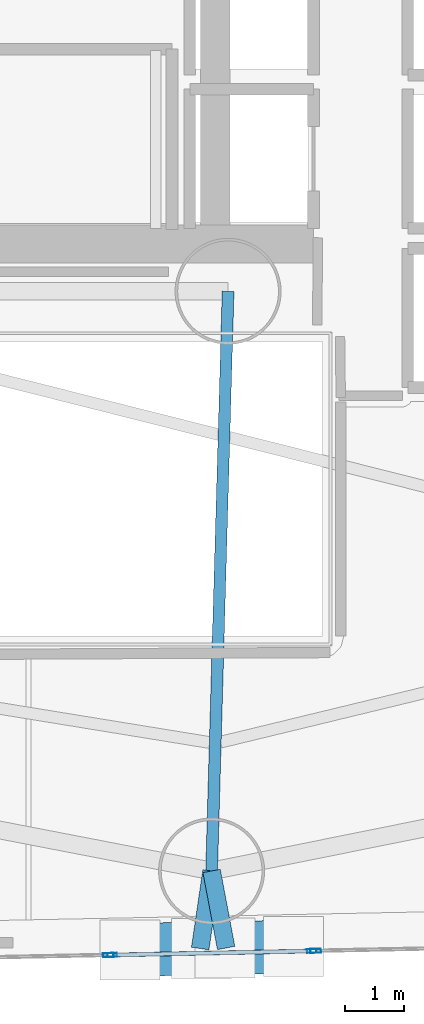
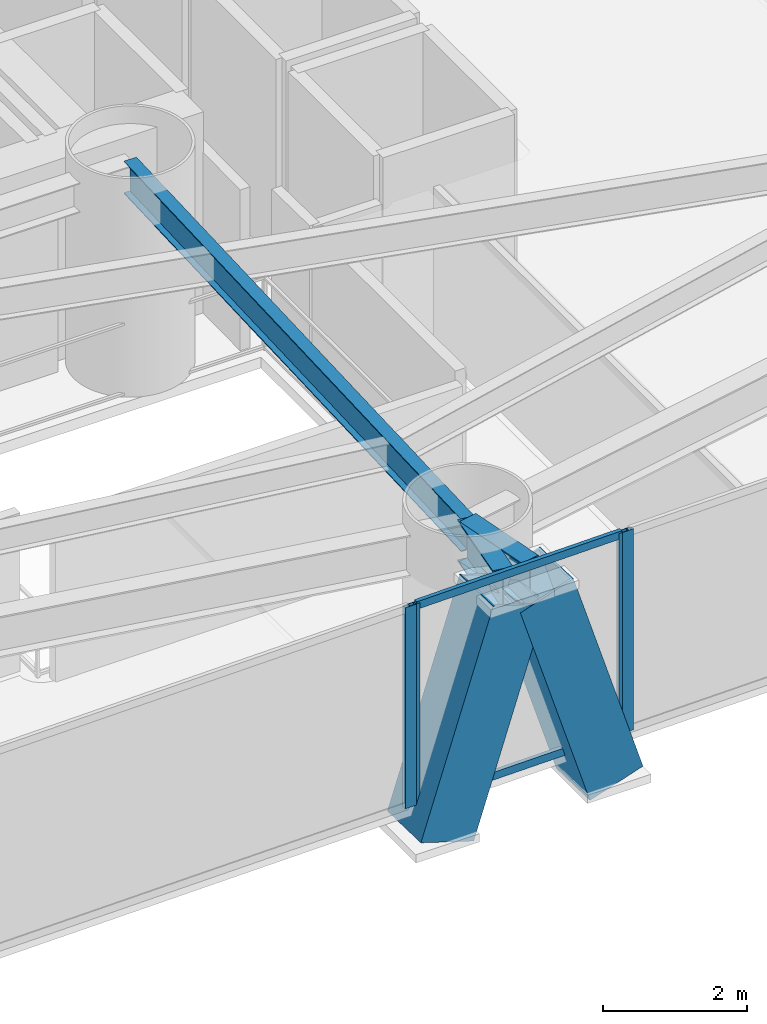
# One storey, part 5 of 22: 8 members, 3 beams, 3 elements without a shape of their own.
"""IFC4 building model written with IfcOpenShell, lengths in metres."""

from ifc_helpers import new_model, si_unit, direction, frame, origin, origin_2d, place, context, subcontext, project, spatial, hollow_rectangle, i_section, extrude, material, layer, layer_set, material_profile, profile_set, type_object, element, aggregate, save


model = new_model("IFC4")

# Units and contexts
model_context = context("Model", 3, precision=1e-05, world=origin(), true_north=direction((0.0, 1.0)))
body_context = subcontext(model_context, "Body", "Model", "MODEL_VIEW")
ifc_project = project(units=[si_unit("LENGTHUNIT", "METRE"), si_unit("AREAUNIT", "SQUARE_METRE"), si_unit("VOLUMEUNIT", "CUBIC_METRE"), si_unit("PLANEANGLEUNIT", "RADIAN"), si_unit("MASSUNIT", "GRAM", prefix="KILO")], contexts=[model_context])

# Site, building, storey
site_placement = place(None, origin())
site = spatial("IfcSite", under=ifc_project, at=site_placement, CompositionType="ELEMENT")
building_placement = place(site_placement, origin())
building = spatial("IfcBuilding", under=site, at=building_placement, Name="Qianvela Tower", CompositionType="ELEMENT")
storey_placement = place(building_placement, frame((0.0, 0.0, 44.199951171875)))
storey = spatial("IfcBuildingStorey", under=building, at=storey_placement, Name="L10", CompositionType="ELEMENT", Elevation=44.199951171875)

# Beams
ifc_material_1 = material(Name="Steel Q355B", Category="steel")
ifc_material_profile_1 = material_profile(ifc_material_1, i_section(OverallWidth=0.199951171875, OverallDepth=0.550048828125, WebThickness=0.010009765625, FlangeThickness=0.01611328125, at=origin_2d()), Name="HN550x200x10x16")
ifc_profile_set_1 = profile_set([ifc_material_profile_1], Name="Steel Q355B")
beam_type_1 = type_object("IfcBeamType", Name="BM-HN550-GIRD", PredefinedType="BEAM", material=ifc_profile_set_1)
beam_placement = place(storey_placement, frame((38.39990234375, 23.85009765625, 3.123046875), z_axis=(-0.028439336302, -0.999595520273, 0.0), x_axis=(0.999595520273, -0.028439336302, 0.0)))
element("IfcBeam", 1, at=beam_placement, inside=storey, type_object=beam_type_1, Name="L10 Radial Primary Floor Girder 6", PredefinedType="BEAM", context=body_context, shape_type="SweptSolid", body=[
    extrude(i_section(OverallWidth=0.199951171875, OverallDepth=0.550048828125, WebThickness=0.010009765625, FlangeThickness=0.01611328125, at=origin_2d()), origin(), (0.0, 0.0, 1.0), 9.837890625),
])
ifc_material_2 = material(Name="Steel Q355B", Category="steel")
ifc_material_profile_2 = material_profile(ifc_material_2, i_section(OverallWidth=0.300048828125, OverallDepth=0.699951171875, WebThickness=0.012939453125, FlangeThickness=0.02392578125, at=origin_2d()), Name="HN700x300x13x24")
ifc_profile_set_2 = profile_set([ifc_material_profile_2], Name="Steel Q355B")
beam_type_2 = type_object("IfcBeamType", Name="BM-HN700-SPAND", PredefinedType="SPANDREL", material=ifc_profile_set_2)
for number, where, z_axis, x_axis, name in (
    (2, (38.1201171875, 14.01611328125, 3.048095703125), (-0.145530974004, -0.989353695907, 0.0), (0.989353695907, -0.145530974004, 0.0), "L10 Mega-Brace Column Tie Bracket F3-1"),
    (3, (38.1201171875, 14.01611328125, 3.048095703125), (0.185163780399, -0.982707674962, 0.0), (0.982707674962, 0.185163780399, 0.0), "L10 Mega-Brace Column Tie Bracket F3-2"),
):
    element("IfcBeam", number, at=place(storey_placement, frame(where, z_axis=z_axis, x_axis=x_axis)), inside=storey, type_object=beam_type_2, Name=name, PredefinedType="SPANDREL", context=body_context, shape_type="SweptSolid", body=[
        extrude(i_section(OverallWidth=0.300048828125, OverallDepth=0.699951171875, WebThickness=0.012939453125, FlangeThickness=0.02392578125, at=origin_2d()), origin(), (0.0, 0.0, 1.0), 1.330322265625),
    ])

# Curtain wall, members
ifc_material_3 = material(Name="Anodised Architectural Aluminium and Insulated Spandrel Panel", Category="aluminium")
ifc_layer_1 = layer(ifc_material_3, 0.179931640625)
ifc_layer_set_1 = layer_set([ifc_layer_1], Name="Anodised Architectural Aluminium and Insulated Spandrel Panel")
curtain_wall_type_1 = type_object("IfcCurtainWallType", Name="CW-BRACEBAY", PredefinedType="USERDEFINED", material=ifc_layer_set_1)
curtain_wall_1_placement = place(storey_placement, origin())
curtain_wall_1 = element("IfcCurtainWall", 4, at=curtain_wall_1_placement, inside=storey, type_object=curtain_wall_type_1, Name="L10 CW-BRACEBAY Curtain Wall 06B", ObjectType="CURTAIN_WALL_SYSTEM", PredefinedType="USERDEFINED")
ifc_material_4 = material(Name="Anodised Architectural Aluminium 6063-T6", Category="aluminium")
ifc_material_profile_3 = material_profile(ifc_material_4, hollow_rectangle(XDim=0.06494140625, YDim=0.159912109375, WallThickness=0.0048828125, at=origin_2d()), Name="ALU-MULL-65x160")
ifc_profile_set_3 = profile_set([ifc_material_profile_3], Name="Anodised Architectural Aluminium 6063-T6")
member_type_1 = type_object("IfcMemberType", Name="CW-BRACEBAY-MULL", PredefinedType="MULLION", material=ifc_profile_set_3)
member_1_placement = place(storey_placement, frame((36.4345703125, 12.58984375, 0.0), z_axis=(0.0, 0.0, 1.0), x_axis=(-0.020115953144, 0.999797653743, 0.0)))
member_1 = element("IfcMember", 5, at=member_1_placement, type_object=member_type_1, Name="CW-9 mullion 1", PredefinedType="MULLION", context=body_context, shape_type="SweptSolid", body=[
    extrude(hollow_rectangle(XDim=0.06494140625, YDim=0.159912109375, WallThickness=0.0048828125, at=origin_2d()), origin(), (0.0, 0.0, 1.0), 3.400146484375),
])
member_2_placement = place(storey_placement, frame((39.81884765625, 12.657958984375, 0.0), z_axis=(0.0, 0.0, 1.0), x_axis=(-0.020115953144, 0.999797653743, 0.0)))
member_2 = element("IfcMember", 6, at=member_2_placement, type_object=member_type_1, Name="CW-9 mullion 2", PredefinedType="MULLION", context=body_context, shape_type="SweptSolid", body=[
    extrude(hollow_rectangle(XDim=0.06494140625, YDim=0.159912109375, WallThickness=0.0048828125, at=origin_2d()), origin(), (0.0, 0.0, 1.0), 3.400146484375),
])
ifc_material_5 = material(Name="Anodised Architectural Aluminium 6063-T6", Category="aluminium")
ifc_material_profile_4 = material_profile(ifc_material_5, hollow_rectangle(XDim=0.06494140625, YDim=0.1298828125, WallThickness=0.00439453125, at=origin_2d()), Name="ALU-TRAN-65x130")
ifc_profile_set_4 = profile_set([ifc_material_profile_4], Name="Anodised Architectural Aluminium 6063-T6")
member_type_2 = type_object("IfcMemberType", Name="CW-BRACEBAY-TRAN", PredefinedType="USERDEFINED", material=ifc_profile_set_4)
member_3_placement = place(storey_placement, frame((36.467041015625, 12.590576171875, 0.032470703125), z_axis=(0.999798469081, 0.020075388501, 0.0), x_axis=(-0.020075388501, 0.999798469081, 0.0)))
member_3 = element("IfcMember", 7, at=member_3_placement, type_object=member_type_2, Name="CW-9 transom 1.1", ObjectType="TRANSOM", PredefinedType="USERDEFINED", context=body_context, shape_type="SweptSolid", body=[
    extrude(hollow_rectangle(XDim=0.06494140625, YDim=0.1298828125, WallThickness=0.00439453125, at=origin_2d()), origin(), (0.0, 0.0, 1.0), 3.320068359375),
])
member_4_placement = place(storey_placement, frame((36.467041015625, 12.590576171875, 3.367431640625), z_axis=(0.999798469081, 0.020075388501, 0.0), x_axis=(-0.020075388501, 0.999798469081, 0.0)))
member_4 = element("IfcMember", 8, at=member_4_placement, type_object=member_type_2, Name="CW-9 transom 1.2", ObjectType="TRANSOM", PredefinedType="USERDEFINED", context=body_context, shape_type="SweptSolid", body=[
    extrude(hollow_rectangle(XDim=0.06494140625, YDim=0.1298828125, WallThickness=0.00439453125, at=origin_2d()), origin(), (0.0, 0.0, 1.0), 3.320068359375),
])
aggregate(curtain_wall_1, [member_1, member_2, member_3, member_4])

# Curtain wall, member
ifc_material_6 = material(Name="Anodised Architectural Aluminium and Low-E Glass", Category="aluminium")
ifc_layer_2 = layer(ifc_material_6, 0.179931640625)
ifc_layer_set_2 = layer_set([ifc_layer_2], Name="Anodised Architectural Aluminium and Low-E Glass")
curtain_wall_type_2 = type_object("IfcCurtainWallType", Name="CW-COLIV-Z12", PredefinedType="USERDEFINED", material=ifc_layer_set_2)
curtain_wall_2_placement = place(storey_placement, origin())
curtain_wall_2 = element("IfcCurtainWall", 9, at=curtain_wall_2_placement, inside=storey, type_object=curtain_wall_type_2, Name="L10 CW-COLIV-Z12 Curtain Wall 06A", ObjectType="CURTAIN_WALL_SYSTEM", PredefinedType="USERDEFINED")
ifc_material_7 = material(Name="Anodised Architectural Aluminium 6063-T6", Category="aluminium")
ifc_material_profile_5 = material_profile(ifc_material_7, hollow_rectangle(XDim=0.070068359375, YDim=0.179931640625, WallThickness=0.0048828125, at=origin_2d()), Name="ALU-MULL-70x180")
ifc_profile_set_5 = profile_set([ifc_material_profile_5], Name="Anodised Architectural Aluminium 6063-T6")
member_type_3 = type_object("IfcMemberType", Name="CW-COLIV-Z12-MULL", PredefinedType="MULLION", material=ifc_profile_set_5)
member_5_placement = place(storey_placement, frame((36.3671875, 12.58837890625, 0.0), z_axis=(0.0, 0.0, 1.0), x_axis=(-0.020120886959, 0.999797554462, 0.0)))
member_5 = element("IfcMember", 10, at=member_5_placement, type_object=member_type_3, Name="CW-3 mullion 2", PredefinedType="MULLION", context=body_context, shape_type="SweptSolid", body=[
    extrude(hollow_rectangle(XDim=0.070068359375, YDim=0.179931640625, WallThickness=0.0048828125, at=origin_2d()), origin(), (0.0, 0.0, 1.0), 3.400146484375),
])
aggregate(curtain_wall_2, [member_5])

curtain_wall_3_placement = place(storey_placement, origin())
curtain_wall_3 = element("IfcCurtainWall", 11, at=curtain_wall_3_placement, inside=storey, type_object=curtain_wall_type_2, Name="L10 CW-COLIV-Z12 Curtain Wall 06C", ObjectType="CURTAIN_WALL_SYSTEM", PredefinedType="USERDEFINED")
member_6_placement = place(storey_placement, frame((39.886474609375, 12.659423828125, 0.0), z_axis=(0.0, 0.0, 1.0), x_axis=(-0.020121343706, 0.99979754527, 0.0)))
member_6 = element("IfcMember", 12, at=member_6_placement, type_object=member_type_3, Name="CW-3 mullion 1", PredefinedType="MULLION", context=body_context, shape_type="SweptSolid", body=[
    extrude(hollow_rectangle(XDim=0.070068359375, YDim=0.179931640625, WallThickness=0.0048828125, at=origin_2d()), origin(), (0.0, 0.0, 1.0), 3.400146484375),
])
aggregate(curtain_wall_3, [member_6])

# Members
ifc_material_8 = material(Name="Steel Q420GJC", Category="steel")
ifc_material_profile_6 = material_profile(ifc_material_8, hollow_rectangle(XDim=0.89990234375, YDim=0.89990234375, WallThickness=0.035888671875, at=origin_2d()), Name="MBOX-900x900x36")
ifc_profile_set_6 = profile_set([ifc_material_profile_6], Name="Steel Q420GJC")
member_type_4 = type_object("IfcMemberType", Name="MBR-MBRACE-900", PredefinedType="BRACE", material=ifc_profile_set_6)
member_7_placement = place(storey_placement, frame((36.75390625, 12.67626953125, -0.531982421875), z_axis=(0.311259598709, 0.006286108906, 0.950304133973), x_axis=(-0.020191593694, 0.99979612899, 0.0)))
element("IfcMember", 13, at=member_7_placement, inside=storey, type_object=member_type_4, Name="L10 Tier 1 Exterior Mega-Brace F3A", PredefinedType="BRACE", context=body_context, shape_type="SweptSolid", body=[
    extrude(hollow_rectangle(XDim=0.89990234375, YDim=0.89990234375, WallThickness=0.035888671875, at=origin_2d()), origin(), (0.0, 0.0, 1.0), 3.767333984375),
])
member_8_placement = place(storey_placement, frame((39.493408203125, 12.7314453125, -0.531982421875), z_axis=(-0.300254078024, -0.006049313097, 0.953840078022), x_axis=(0.020143225895, -0.999797104642, 0.0)))
element("IfcMember", 14, at=member_8_placement, inside=storey, type_object=member_type_4, Name="L10 Tier 1 Exterior Mega-Brace F3B", PredefinedType="BRACE", context=body_context, shape_type="SweptSolid", body=[
    extrude(hollow_rectangle(XDim=0.89990234375, YDim=0.89990234375, WallThickness=0.035888671875, at=origin_2d()), origin(), (0.0, 0.0, 1.0), 3.75341796875),
])

save(model, "model.ifc")
